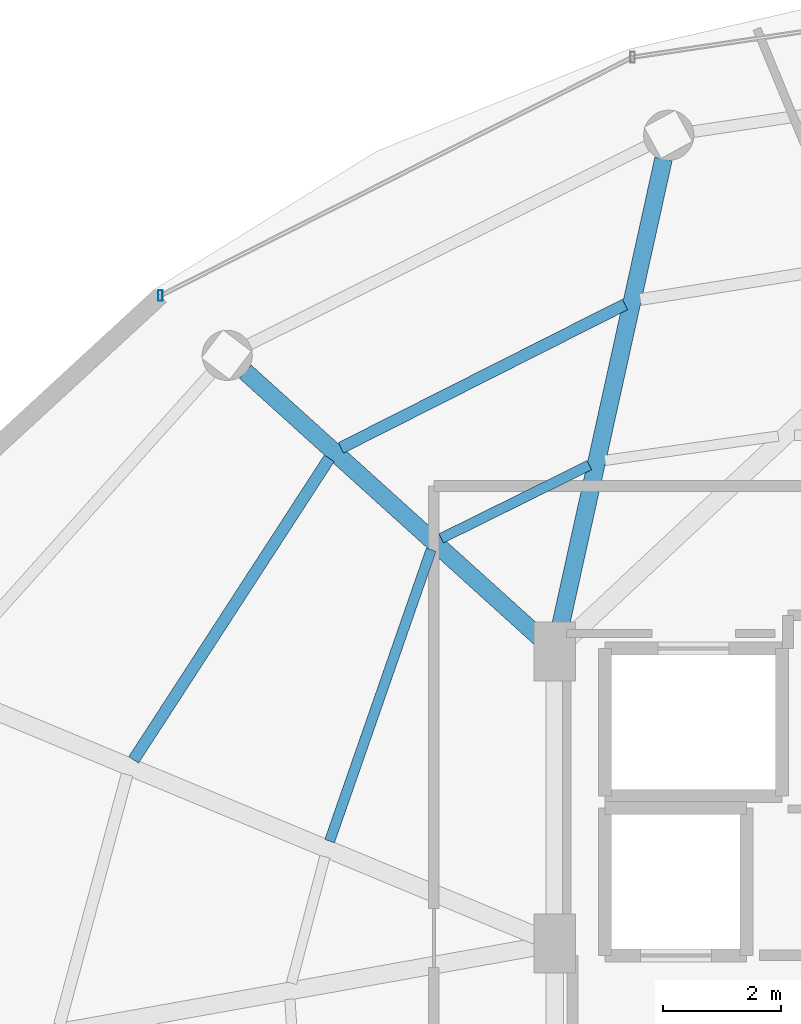
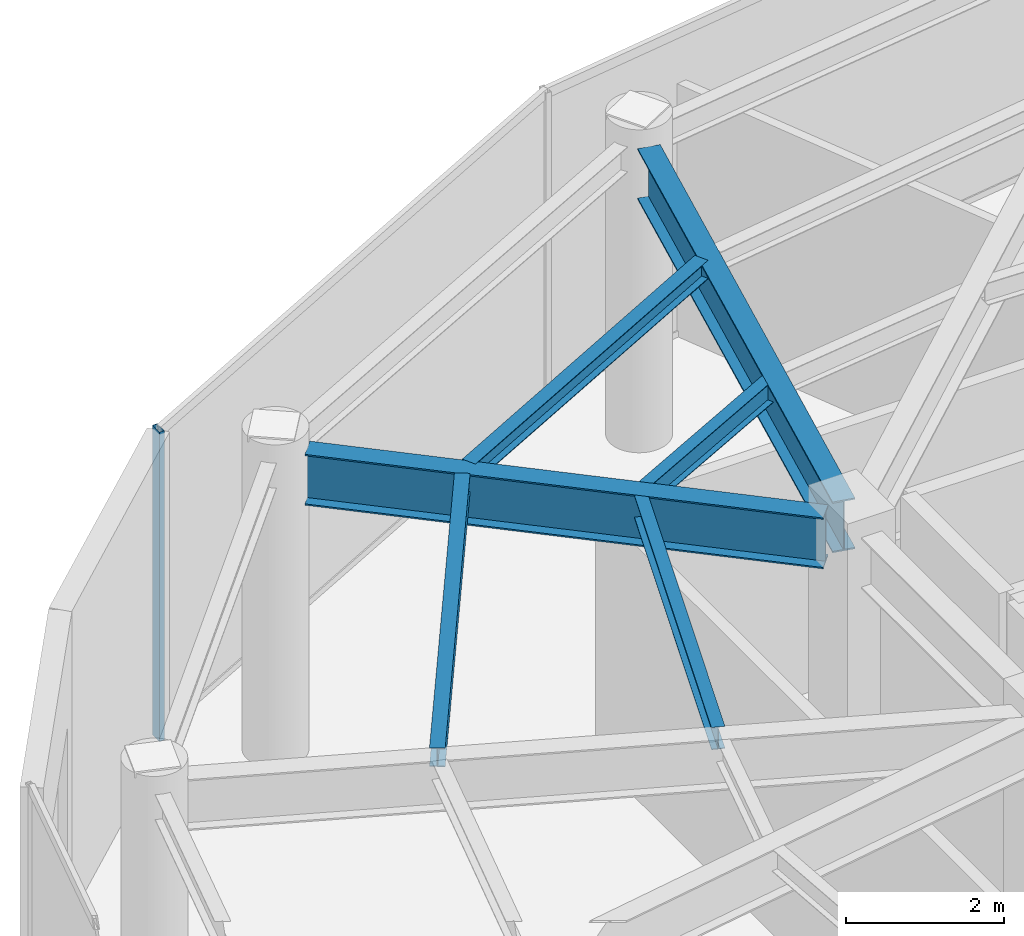
# One storey, part 9 of 24: 6 beams, 1 member, 1 element without a shape of its own.
"""IFC4 building model written with IfcOpenShell, lengths in metres."""

from ifc_helpers import new_model, si_unit, direction, frame, origin, origin_2d, place, context, subcontext, project, spatial, hollow_rectangle, i_section, extrude, material, material_profile, profile_set, type_object, element, aggregate, save


model = new_model("IFC4")

# Units and contexts
model_context = context("Model", 3, precision=1e-05, world=origin(), true_north=direction((0.0, 1.0)))
body_context = subcontext(model_context, "Body", "Model", "MODEL_VIEW")
ifc_project = project(units=[si_unit("LENGTHUNIT", "METRE"), si_unit("AREAUNIT", "SQUARE_METRE"), si_unit("VOLUMEUNIT", "CUBIC_METRE"), si_unit("PLANEANGLEUNIT", "RADIAN"), si_unit("MASSUNIT", "GRAM", prefix="KILO")], contexts=[model_context])

# Site, building, storey
site_placement = place(None, origin())
site = spatial("IfcSite", under=ifc_project, at=site_placement, CompositionType="ELEMENT")
building_placement = place(site_placement, origin())
building = spatial("IfcBuilding", under=site, at=building_placement, Name="Vorneva Point Tower", CompositionType="ELEMENT")
storey_placement = place(building_placement, frame((0.0, 0.0, 290.39990234375)))
storey = spatial("IfcBuildingStorey", under=building, at=storey_placement, Name="L78", CompositionType="ELEMENT", Elevation=290.39990234375)

# Beams
ifc_material_1 = material(Name="Steel S355", Category="steel")
ifc_material_profile_1 = material_profile(ifc_material_1, i_section(OverallWidth=0.300048828125, OverallDepth=0.7880859375, WebThickness=0.014404296875, FlangeThickness=0.02197265625, at=origin_2d()), Name="80Sh1")
ifc_profile_set_1 = profile_set([ifc_material_profile_1], Name="Steel S355")
beam_type_1 = type_object("IfcBeamType", Name="BM-GRD-80Sh1", PredefinedType="USERDEFINED", material=ifc_profile_set_1)
beam_1_placement = place(storey_placement, frame((29.090087890625, 41.4873046875, 4.326171875), z_axis=(-0.215520742957, -0.976499262342, 0.0), x_axis=(0.976499262342, -0.215520742957, 0.0)))
element("IfcBeam", 1, at=beam_1_placement, inside=storey, type_object=beam_type_1, Name="L78 Radial Primary Girder 06", ObjectType="GIRDER", PredefinedType="USERDEFINED", context=body_context, shape_type="SweptSolid", body=[
    extrude(i_section(OverallWidth=0.300048828125, OverallDepth=0.7880859375, WebThickness=0.014404296875, FlangeThickness=0.02197265625, at=origin_2d()), origin(), (0.0, 0.0, 1.0), 8.197998046875),
])
beam_2_placement = place(storey_placement, frame((22.0078125, 37.885498046875, 4.326171875), z_axis=(0.7420671051, -0.670325601128, 0.0), x_axis=(0.670325601128, 0.7420671051, 0.0)))
element("IfcBeam", 2, at=beam_2_placement, inside=storey, type_object=beam_type_1, Name="L78 Radial Primary Girder 07", ObjectType="GIRDER", PredefinedType="USERDEFINED", context=body_context, shape_type="SweptSolid", body=[
    extrude(i_section(OverallWidth=0.300048828125, OverallDepth=0.7880859375, WebThickness=0.014404296875, FlangeThickness=0.02197265625, at=origin_2d()), origin(), (0.0, 0.0, 1.0), 6.724365234375),
])
ifc_material_profile_2 = material_profile(ifc_material_1, i_section(OverallWidth=0.199951171875, OverallDepth=0.291015625, WebThickness=0.008056640625, FlangeThickness=0.010986328125, at=origin_2d()), Name="30Sh1")
ifc_profile_set_2 = profile_set([ifc_material_profile_2], Name="Steel S355")
beam_type_2 = type_object("IfcBeamType", Name="BM-SEC-30Sh1", PredefinedType="BEAM", material=ifc_profile_set_2)
beam_3_placement = place(storey_placement, frame((28.43701171875, 39.023681640625, 4.57470703125), z_axis=(-0.892661963026, -0.450726768416, 0.0), x_axis=(0.450726768416, -0.892661963026, 0.0)))
element("IfcBeam", 3, at=beam_3_placement, inside=storey, type_object=beam_type_2, Name="L78 Secondary Floor Beam 1.06", PredefinedType="BEAM", context=body_context, shape_type="SweptSolid", body=[
    extrude(i_section(OverallWidth=0.199951171875, OverallDepth=0.291015625, WebThickness=0.008056640625, FlangeThickness=0.010986328125, at=origin_2d()), origin(), (0.0, 0.0, 1.0), 5.387451171875),
])
beam_4_placement = place(storey_placement, frame((23.4296875, 36.41748046875, 4.57470703125), z_axis=(-0.54436505899, -0.838848426446, 0.0), x_axis=(0.838848426446, -0.54436505899, 0.0)))
element("IfcBeam", 4, at=beam_4_placement, inside=storey, type_object=beam_type_2, Name="L78 Secondary Floor Beam 1.07", PredefinedType="BEAM", context=body_context, shape_type="SweptSolid", body=[
    extrude(i_section(OverallWidth=0.199951171875, OverallDepth=0.291015625, WebThickness=0.008056640625, FlangeThickness=0.010986328125, at=origin_2d()), origin(), (0.0, 0.0, 1.0), 6.0869140625),
])
ifc_material_profile_3 = material_profile(ifc_material_1, i_section(OverallWidth=0.174072265625, OverallDepth=0.345947265625, WebThickness=0.006103515625, FlangeThickness=0.009033203125, at=origin_2d()), Name="35B1")
ifc_profile_set_3 = profile_set([ifc_material_profile_3], Name="Steel S355")
beam_type_3 = type_object("IfcBeamType", Name="BM-SEC-35B1", PredefinedType="BEAM", material=ifc_profile_set_3)
beam_5_placement = place(storey_placement, frame((27.835693359375, 36.302734375, 4.547119140625), z_axis=(-0.896474982162, -0.443094353786, 0.0), x_axis=(0.443094353786, -0.896474982162, 0.0)))
element("IfcBeam", 5, at=beam_5_placement, inside=storey, type_object=beam_type_3, Name="L78 Secondary Floor Beam 2.06", PredefinedType="BEAM", context=body_context, shape_type="SweptSolid", body=[
    extrude(i_section(OverallWidth=0.174072265625, OverallDepth=0.345947265625, WebThickness=0.006103515625, FlangeThickness=0.009033203125, at=origin_2d()), origin(), (0.0, 0.0, 1.0), 2.80078125),
])
beam_6_placement = place(storey_placement, frame((25.156005859375, 34.870361328125, 4.547119140625), z_axis=(-0.329172675653, -0.94426974409, 0.0), x_axis=(0.94426974409, -0.329172675653, 0.0)))
element("IfcBeam", 6, at=beam_6_placement, inside=storey, type_object=beam_type_3, Name="L78 Secondary Floor Beam 2.07", PredefinedType="BEAM", context=body_context, shape_type="SweptSolid", body=[
    extrude(i_section(OverallWidth=0.174072265625, OverallDepth=0.345947265625, WebThickness=0.006103515625, FlangeThickness=0.009033203125, at=origin_2d()), origin(), (0.0, 0.0, 1.0), 5.227294921875),
])

# Curtain wall, member
ifc_material_2 = material(Name="Pale anodised aluminium", Category="aluminium")
curtain_wall_type = type_object("IfcCurtainWallType", Name="CW-OBS-SYS", PredefinedType="NOTDEFINED", material=ifc_material_2)
curtain_wall_placement = place(storey_placement, origin())
curtain_wall = element("IfcCurtainWall", 7, at=curtain_wall_placement, inside=storey, type_object=curtain_wall_type, Name="L78 Unitised Curtain Wall CW-L78-R02", PredefinedType="NOTDEFINED")
ifc_material_profile_4 = material_profile(ifc_material_2, hollow_rectangle(XDim=0.074951171875, YDim=0.179931640625, WallThickness=0.00390625, at=origin_2d()), Name="AL-MUL 180x75x4")
ifc_profile_set_4 = profile_set([ifc_material_profile_4], Name="Pale anodised aluminium")
member_type = type_object("IfcMemberType", Name="CW-MUL-180", PredefinedType="MULLION", material=ifc_profile_set_4)
member_placement = place(storey_placement, frame((20.56982421875, 39.17333984375, -0.039794921875), z_axis=(0.0, 0.0, 1.0), x_axis=(1.0, 0.0, 0.0)))
member = element("IfcMember", 8, at=member_placement, type_object=member_type, Name="CW-L78-R02 Mullion 04", PredefinedType="MULLION", context=body_context, shape_type="SweptSolid", body=[
    extrude(hollow_rectangle(XDim=0.074951171875, YDim=0.179931640625, WallThickness=0.00390625, at=origin_2d()), origin(), (0.0, 0.0, 1.0), 4.789794921875),
])
aggregate(curtain_wall, [member])

save(model, "model.ifc")
